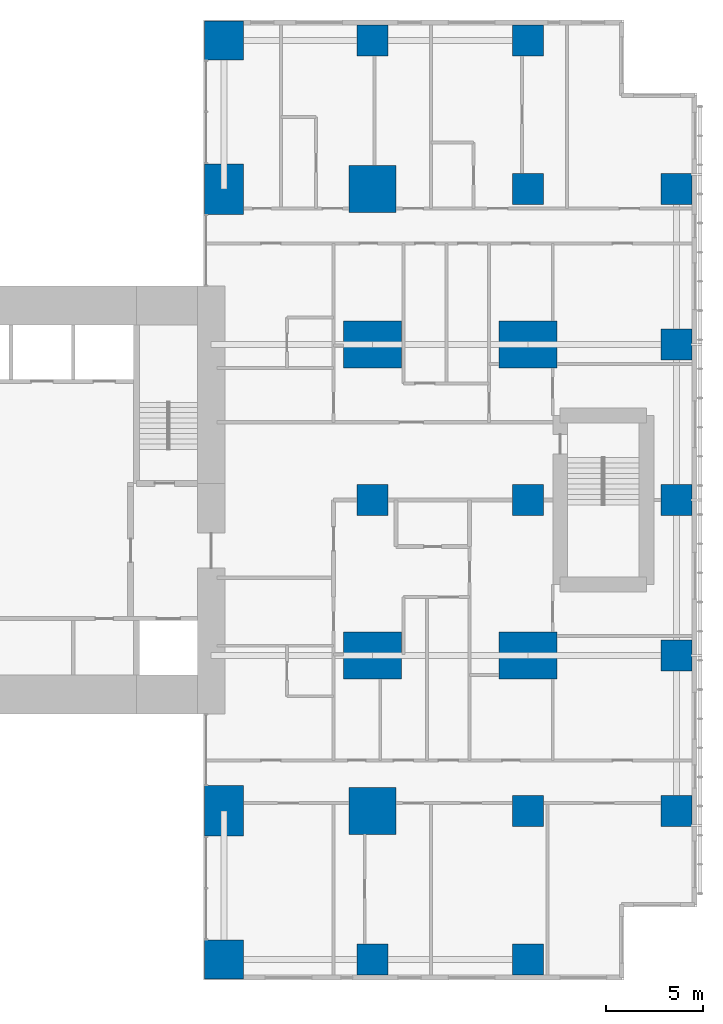
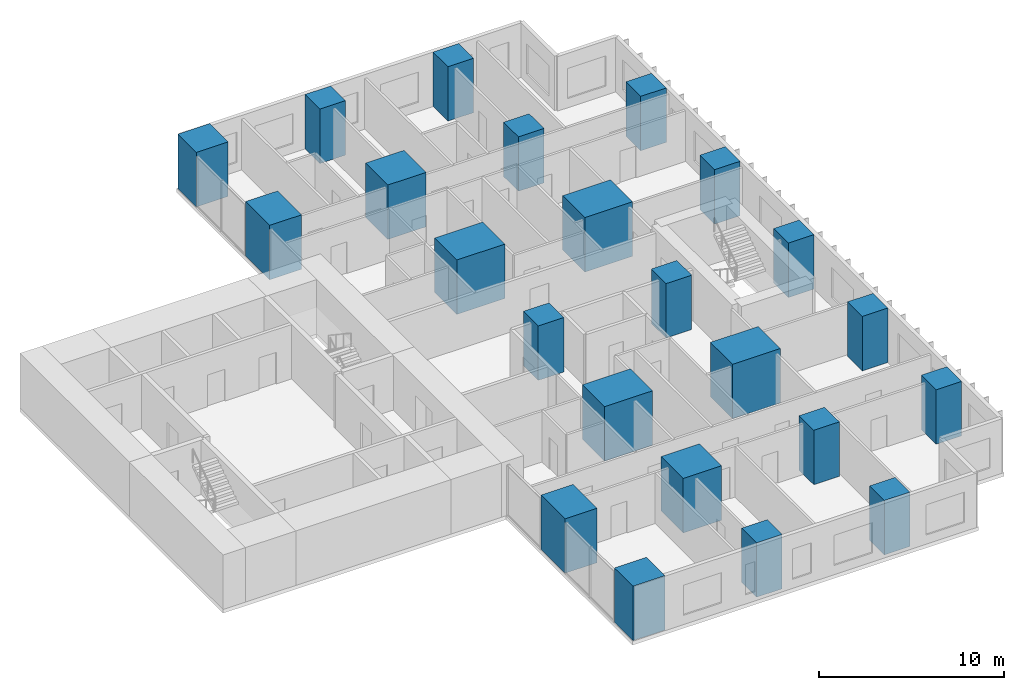
# One storey, part 1 of 12: 23 columns.
"""IFC4 building model written with IfcOpenShell, lengths in metres."""

from ifc_helpers import new_model, si_unit, direction, frame, origin, origin_2d, place, context, subcontext, project, spatial, rectangle, extrude, material, material_profile, profile_set, type_object, element, save


model = new_model("IFC4")

# Units and contexts
model_context = context("Model", 3, precision=1e-05, world=origin(), true_north=direction((0.0, 1.0)))
body_context = subcontext(model_context, "Body", "Model", "MODEL_VIEW")
ifc_project = project(units=[si_unit("LENGTHUNIT", "METRE"), si_unit("AREAUNIT", "SQUARE_METRE"), si_unit("VOLUMEUNIT", "CUBIC_METRE"), si_unit("PLANEANGLEUNIT", "RADIAN"), si_unit("MASSUNIT", "GRAM", prefix="KILO")], contexts=[model_context])

# Site, building, storey
site_placement = place(None, origin())
site = spatial("IfcSite", under=ifc_project, at=site_placement, CompositionType="ELEMENT")
building_placement = place(site_placement, origin())
building = spatial("IfcBuilding", under=site, at=building_placement, Name="Cleftline Residences", CompositionType="ELEMENT")
storey_placement = place(building_placement, frame((0.0, 0.0, 248.39990234375)))
storey = spatial("IfcBuildingStorey", under=building, at=storey_placement, Name="L65", CompositionType="ELEMENT", Elevation=248.39990234375)

# Columns
ifc_material_1 = material(Name="Concrete B70", Category="concrete")
ifc_material_profile_1 = material_profile(ifc_material_1, rectangle(XDim=1.60009765625, YDim=1.60009765625, at=origin_2d()))
ifc_profile_set_1 = profile_set([ifc_material_profile_1], Name="Concrete B70")
column_type_1 = type_object("IfcColumnType", Name="COLUMN RC1600X1600", PredefinedType="COLUMN", material=ifc_profile_set_1)
for number, where, z_axis, x_axis, name in (
    (1, (50.0, 0.35009765625, 0.0), (0.0, 0.0, 1.0), (1.0, 0.0, 0.0), "Column C/9"),
    (2, (50.0, 24.0, 0.0), (0.0, 0.0, 1.0), (1.0, 0.0, 0.0), "Column F/9"),
    (3, (50.0, 47.64990234375, 0.0), (0.0, 0.0, 1.0), (1.0, 0.0, 0.0), "Column J/9"),
    (4, (58.0, 0.35009765625, 0.0), (0.0, 0.0, 1.0), (1.0, 0.0, 0.0), "Column C/10"),
    (5, (58.0, 8.0, 0.0), (0.0, 0.0, 1.0), (1.0, 0.0, 0.0), "Column D/10"),
    (6, (58.0, 24.0, 0.0), (0.0, 0.0, 1.0), (1.0, 0.0, 0.0), "Column F/10"),
    (7, (58.0, 40.0, 0.0), (0.0, 0.0, 1.0), (1.0, 0.0, 0.0), "Column H/10"),
    (8, (58.0, 47.64990234375, 0.0), (0.0, 0.0, 1.0), (1.0, 0.0, 0.0), "Column J/10"),
    (9, (65.64990234375, 8.0, 0.0), (0.0, 0.0, 1.0), (1.0, 0.0, 0.0), "Column D/11"),
    (10, (65.64990234375, 16.0, 0.0), (0.0, 0.0, 1.0), (1.0, 0.0, 0.0), "Column E/11"),
    (11, (65.64990234375, 24.0, 0.0), (0.0, 0.0, 1.0), (1.0, 0.0, 0.0), "Column F/11"),
    (12, (65.64990234375, 32.0, 0.0), (0.0, 0.0, 1.0), (1.0, 0.0, 0.0), "Column G/11"),
    (13, (65.64990234375, 40.0, 0.0), (0.0, 0.0, 1.0), (1.0, 0.0, 0.0), "Column H/11"),
):
    element("IfcColumn", number, at=place(storey_placement, frame(where, z_axis=z_axis, x_axis=x_axis)), inside=storey, type_object=column_type_1, Name=name, PredefinedType="COLUMN", context=body_context, shape_type="SweptSolid", body=[
        extrude(rectangle(XDim=1.60009765625, YDim=1.60009765625, at=origin_2d()), origin(), (0.0, 0.0, 1.0), 3.60009765625),
    ])
ifc_material_2 = material(Name="Concrete B70", Category="concrete")
ifc_material_profile_2 = material_profile(ifc_material_2, rectangle(XDim=2.0, YDim=2.0, at=origin_2d()))
ifc_profile_set_2 = profile_set([ifc_material_profile_2], Name="Concrete B70")
column_type_2 = type_object("IfcColumnType", Name="COLUMN RC2000X2000", PredefinedType="COLUMN", material=ifc_profile_set_2)
for number, where, z_axis, x_axis, name in (
    (14, (42.35009765625, 0.35009765625, 0.0), (0.0, 0.0, 1.0), (1.0, 0.0, 0.0), "Column C/8"),
    (15, (42.35009765625, 47.64990234375, 0.0), (0.0, 0.0, 1.0), (1.0, 0.0, 0.0), "Column J/8"),
):
    element("IfcColumn", number, at=place(storey_placement, frame(where, z_axis=z_axis, x_axis=x_axis)), inside=storey, type_object=column_type_2, Name=name, PredefinedType="COLUMN", context=body_context, shape_type="SweptSolid", body=[
        extrude(rectangle(XDim=2.0, YDim=2.0, at=origin_2d()), origin(), (0.0, 0.0, 1.0), 3.60009765625),
    ])
ifc_material_3 = material(Name="Concrete B70", Category="concrete")
ifc_material_profile_3 = material_profile(ifc_material_3, rectangle(XDim=2.0, YDim=2.60009765625, at=origin_2d()))
ifc_profile_set_3 = profile_set([ifc_material_profile_3], Name="Concrete B70")
column_type_3 = type_object("IfcColumnType", Name="COLUMN RC2000X2600", PredefinedType="COLUMN", material=ifc_profile_set_3)
for number, where, z_axis, x_axis, name in (
    (16, (42.35009765625, 8.0, 0.0), (0.0, 0.0, 1.0), (1.0, 0.0, 0.0), "Column D/8"),
    (17, (42.35009765625, 40.0, 0.0), (0.0, 0.0, 1.0), (1.0, 0.0, 0.0), "Column H/8"),
):
    element("IfcColumn", number, at=place(storey_placement, frame(where, z_axis=z_axis, x_axis=x_axis)), inside=storey, type_object=column_type_3, Name=name, PredefinedType="COLUMN", context=body_context, shape_type="SweptSolid", body=[
        extrude(rectangle(XDim=2.0, YDim=2.60009765625, at=origin_2d()), origin(), (0.0, 0.0, 1.0), 3.60009765625),
    ])
ifc_material_4 = material(Name="Concrete B70", Category="concrete")
ifc_material_profile_4 = material_profile(ifc_material_4, rectangle(XDim=2.39990234375, YDim=2.39990234375, at=origin_2d()))
ifc_profile_set_4 = profile_set([ifc_material_profile_4], Name="Concrete B70")
column_type_4 = type_object("IfcColumnType", Name="COLUMN RC2400X2400", PredefinedType="COLUMN", material=ifc_profile_set_4)
for number, where, z_axis, x_axis, name in (
    (18, (50.0, 8.0, 0.0), (0.0, 0.0, 1.0), (1.0, 0.0, 0.0), "Column D/9"),
    (19, (50.0, 40.0, 0.0), (0.0, 0.0, 1.0), (1.0, 0.0, 0.0), "Column H/9"),
):
    element("IfcColumn", number, at=place(storey_placement, frame(where, z_axis=z_axis, x_axis=x_axis)), inside=storey, type_object=column_type_4, Name=name, PredefinedType="COLUMN", context=body_context, shape_type="SweptSolid", body=[
        extrude(rectangle(XDim=2.39990234375, YDim=2.39990234375, at=origin_2d()), origin(), (0.0, 0.0, 1.0), 3.60009765625),
    ])
ifc_material_5 = material(Name="Concrete B70", Category="concrete")
ifc_material_profile_5 = material_profile(ifc_material_5, rectangle(XDim=3.0, YDim=2.39990234375, at=origin_2d()))
ifc_profile_set_5 = profile_set([ifc_material_profile_5], Name="Concrete B70")
column_type_5 = type_object("IfcColumnType", Name="COLUMN RC3000X2400", PredefinedType="COLUMN", material=ifc_profile_set_5)
for number, where, z_axis, x_axis, name in (
    (20, (50.0, 16.0, 0.0), (0.0, 0.0, 1.0), (1.0, 0.0, 0.0), "Column E/9"),
    (21, (50.0, 32.0, 0.0), (0.0, 0.0, 1.0), (1.0, 0.0, 0.0), "Column G/9"),
    (22, (58.0, 16.0, 0.0), (0.0, 0.0, 1.0), (1.0, 0.0, 0.0), "Column E/10"),
    (23, (58.0, 32.0, 0.0), (0.0, 0.0, 1.0), (1.0, 0.0, 0.0), "Column G/10"),
):
    element("IfcColumn", number, at=place(storey_placement, frame(where, z_axis=z_axis, x_axis=x_axis)), inside=storey, type_object=column_type_5, Name=name, PredefinedType="COLUMN", context=body_context, shape_type="SweptSolid", body=[
        extrude(rectangle(XDim=3.0, YDim=2.39990234375, at=origin_2d()), origin(), (0.0, 0.0, 1.0), 3.60009765625),
    ])

save(model, "model.ifc")
